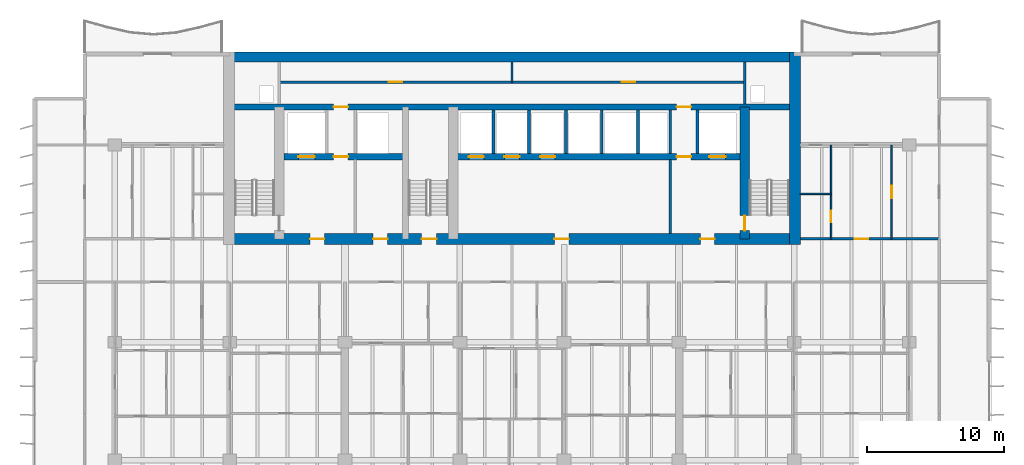
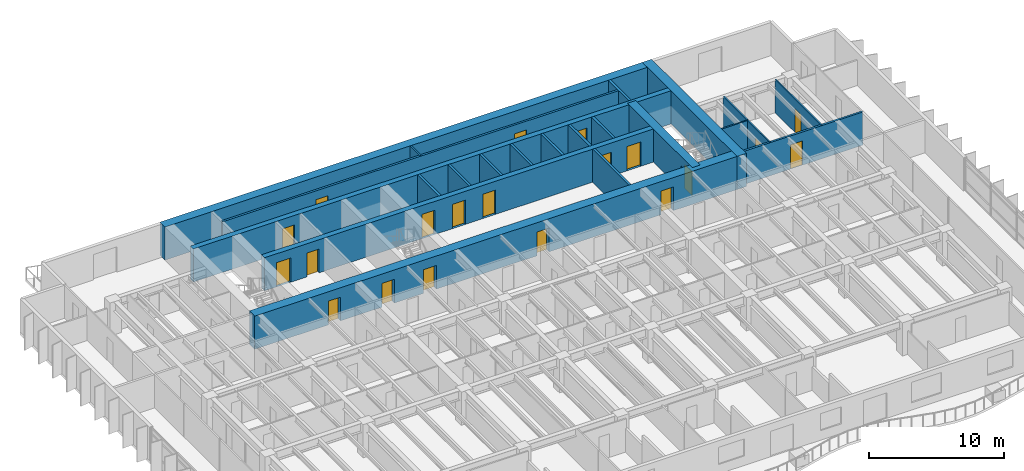
# One storey, part 12 of 19: 21 walls, 20 doors, 20 openings.
"""IFC4 building model written with IfcOpenShell, lengths in metres."""

from ifc_helpers import new_model, si_unit, direction, frame, frame_2d, origin, place, context, subcontext, project, spatial, rectangle, extrude, material, layer, layer_set, type_object, element, fill, save


model = new_model("IFC4")

# Units and contexts
model_context = context("Model", 3, precision=1e-05, world=origin(), true_north=direction((0.0, 1.0)))
body_context = subcontext(model_context, "Body", "Model", "MODEL_VIEW")
ifc_project = project(units=[si_unit("LENGTHUNIT", "METRE"), si_unit("AREAUNIT", "SQUARE_METRE"), si_unit("VOLUMEUNIT", "CUBIC_METRE"), si_unit("PLANEANGLEUNIT", "RADIAN"), si_unit("MASSUNIT", "GRAM", prefix="KILO")], contexts=[model_context])

# Site, building, storey
site_placement = place(None, origin())
site = spatial("IfcSite", under=ifc_project, at=site_placement, CompositionType="ELEMENT")
building_placement = place(site_placement, origin())
building = spatial("IfcBuilding", under=site, at=building_placement, Name="Caelmar Bay Residences", CompositionType="ELEMENT")
storey_placement = place(building_placement, frame((0.0, 0.0, 94.5)))
storey = spatial("IfcBuildingStorey", under=building, at=storey_placement, Name="L25", CompositionType="ELEMENT", Elevation=94.5)

# Wall, opening, door
ifc_material_1 = material(Name="Concrete f'c 55 MPa (8,000 psi)", Category="concrete")
ifc_layer_1 = layer(ifc_material_1, 0.699951171875)
ifc_layer_set_1 = layer_set([ifc_layer_1], Name="Concrete f'c 55 MPa (8,000 psi)")
wall_type_1 = type_object("IfcWallType", Name="SW-COR-700", PredefinedType="SHEAR", material=ifc_layer_set_1)
wall_1_placement = place(storey_placement, frame((55.89990234375, 36.949951171875, 0.0), z_axis=(0.0, 0.0, 1.0), x_axis=(0.0, 1.0, 0.0)))
wall_1 = element("IfcWall", 1, at=wall_1_placement, inside=storey, type_object=wall_type_1, Name="L25 Core Structural Web Wall ST2W", PredefinedType="SHEAR", context=body_context, shape_type="SweptSolid", body=[
    extrude(rectangle(XDim=9.625, YDim=0.699951171875, at=frame_2d((4.8125, 0.0))), origin(), (0.0, 0.0, 1.0), 3.0),
])
opening_1_placement = place(wall_1_placement, frame((0.60009765625, 0.0, 0.0)))
opening_1 = element("IfcOpeningElement", 2, at=opening_1_placement, cuts=wall_1, Name="Opening D-L25-111", PredefinedType="OPENING", context=body_context, shape_type="SweptSolid", body=[
    extrude(rectangle(XDim=1.10009765625, YDim=2.14990234375, at=frame_2d((0.550048828125, 1.074951171875))), frame((0.0, 0.35986328125, 0.0), z_axis=(0.0, -1.0, 0.0), x_axis=(1.0, 0.0, 0.0)), (0.0, 0.0, 1.0), 0.719970703125),
])
ifc_material_2 = material(Name="Fire-rated steel and walnut architectural door assembly", Category="steel")
ifc_layer_2 = layer(ifc_material_2, 0.050048828125)
ifc_layer_set_2 = layer_set([ifc_layer_2], Name="Fire-rated steel and walnut architectural door assembly")
door_type_1 = type_object("IfcDoorType", Name="D-STAIR-1100", OperationType="NOTDEFINED", PredefinedType="DOOR", material=ifc_layer_set_2)
door_1_placement = place(opening_1_placement, origin())
door_1 = element("IfcDoor", 3, at=door_1_placement, inside=storey, type_object=door_type_1, Name="L25 Firefighting Lobby East Door", OperationType="SINGLE_SWING_RIGHT", OverallHeight=2.14990234375, OverallWidth=1.10009765625, PredefinedType="DOOR", context=body_context, shape_type="SweptSolid", body=[
    extrude(rectangle(XDim=1.10009765625, YDim=2.14990234375, at=frame_2d((0.550048828125, 1.074951171875))), frame((0.0, 0.02490234375, 0.0), z_axis=(0.0, -1.0, 0.0), x_axis=(1.0, 0.0, 0.0)), (0.0, 0.0, 1.0), 0.050048828125),
])
fill(opening_1, door_1)

# Wall, openings, doors
ifc_material_3 = material(Name="Concrete f'c 70 MPa (10,000 psi)", Category="concrete")
ifc_layer_3 = layer(ifc_material_3, 0.800048828125)
ifc_layer_set_3 = layer_set([ifc_layer_3], Name="Concrete f'c 70 MPa (10,000 psi)")
wall_type_2 = type_object("IfcWallType", Name="SW-COR-800", PredefinedType="SHEAR", material=ifc_layer_set_3)
wall_2_placement = place(storey_placement, frame((17.85009765625, 36.949951171875, 0.0), z_axis=(0.0, 0.0, 1.0), x_axis=(1.0, 0.0, 0.0)))
wall_2 = element("IfcWall", 4, at=wall_2_placement, inside=storey, type_object=wall_type_2, Name="L25 Rear Core South Shear Wall", PredefinedType="SHEAR", context=body_context, shape_type="SweptSolid", body=[
    extrude(rectangle(XDim=42.099853515625, YDim=0.800048828125, at=frame_2d((21.0498046875, 0.0))), origin(), (0.0, 0.0, 1.0), 3.0),
])
opening_2_placement = place(wall_2_placement, frame((14.449951171875, 0.0, 0.0)))
opening_2 = element("IfcOpeningElement", 5, at=opening_2_placement, cuts=wall_2, Name="Opening D-L25-106", PredefinedType="OPENING", context=body_context, shape_type="SweptSolid", body=[
    extrude(rectangle(XDim=1.10009765625, YDim=2.14990234375, at=frame_2d((0.550048828125, 1.074951171875))), frame((0.0, 0.409912109375, 0.0), z_axis=(0.0, -1.0, 0.0), x_axis=(1.0, 0.0, 0.0)), (0.0, 0.0, 1.0), 0.820068359375),
])
opening_3_placement = place(wall_2_placement, frame((6.300048828125, 0.0, 0.0)))
opening_3 = element("IfcOpeningElement", 6, at=opening_3_placement, cuts=wall_2, Name="Opening D-L25-107", PredefinedType="OPENING", context=body_context, shape_type="SweptSolid", body=[
    extrude(rectangle(XDim=1.050048828125, YDim=2.14990234375, at=frame_2d((0.52490234375, 1.074951171875))), frame((0.0, 0.409912109375, 0.0), z_axis=(0.0, -1.0, 0.0), x_axis=(1.0, 0.0, 0.0)), (0.0, 0.0, 1.0), 0.820068359375),
])
opening_4_placement = place(wall_2_placement, frame((34.800048828125, 0.0, 0.0)))
opening_4 = element("IfcOpeningElement", 7, at=opening_4_placement, cuts=wall_2, Name="Opening D-L25-110", PredefinedType="OPENING", context=body_context, shape_type="SweptSolid", body=[
    extrude(rectangle(XDim=1.050048828125, YDim=2.14990234375, at=frame_2d((0.52490234375, 1.074951171875))), frame((0.0, 0.409912109375, 0.0), z_axis=(0.0, -1.0, 0.0), x_axis=(1.0, 0.0, 0.0)), (0.0, 0.0, 1.0), 0.820068359375),
])
opening_5_placement = place(wall_2_placement, frame((10.91259765625, 0.0, 0.0)))
opening_5 = element("IfcOpeningElement", 8, at=opening_5_placement, cuts=wall_2, Name="Opening D-L25-113", PredefinedType="OPENING", context=body_context, shape_type="SweptSolid", body=[
    extrude(rectangle(XDim=1.050048828125, YDim=2.14990234375, at=frame_2d((0.52490234375, 1.074951171875))), frame((0.0, 0.409912109375, 0.0), z_axis=(0.0, -1.0, 0.0), x_axis=(1.0, 0.0, 0.0)), (0.0, 0.0, 1.0), 0.820068359375),
])
opening_6_placement = place(wall_2_placement, frame((24.14990234375, 0.0, 0.0)))
opening_6 = element("IfcOpeningElement", 9, at=opening_6_placement, cuts=wall_2, Name="Opening D-L25-114", PredefinedType="OPENING", context=body_context, shape_type="SweptSolid", body=[
    extrude(rectangle(XDim=1.050048828125, YDim=2.14990234375, at=frame_2d((0.52490234375, 1.074951171875))), frame((0.0, 0.409912109375, 0.0), z_axis=(0.0, -1.0, 0.0), x_axis=(1.0, 0.0, 0.0)), (0.0, 0.0, 1.0), 0.820068359375),
])
ifc_layer_4 = layer(ifc_material_2, 0.050048828125)
ifc_layer_set_4 = layer_set([ifc_layer_4], Name="Fire-rated steel and walnut architectural door assembly")
door_type_2 = type_object("IfcDoorType", Name="D-FSAE-1050", OperationType="NOTDEFINED", PredefinedType="DOOR", material=ifc_layer_set_4)
door_2_placement = place(opening_3_placement, origin())
door_2 = element("IfcDoor", 10, at=door_2_placement, inside=storey, type_object=door_type_2, Name="L25 Firefighting Lobby West Door", OperationType="SINGLE_SWING_RIGHT", OverallHeight=2.14990234375, OverallWidth=1.050048828125, PredefinedType="DOOR", context=body_context, shape_type="SweptSolid", body=[
    extrude(rectangle(XDim=1.050048828125, YDim=2.14990234375, at=frame_2d((0.52490234375, 1.074951171875))), frame((0.0, 0.02490234375, 0.0), z_axis=(0.0, -1.0, 0.0), x_axis=(1.0, 0.0, 0.0)), (0.0, 0.0, 1.0), 0.050048828125),
])
fill(opening_3, door_2)
door_3_placement = place(opening_4_placement, origin())
door_3 = element("IfcDoor", 11, at=door_3_placement, inside=storey, type_object=door_type_2, Name="L25 Firefighting Lobby East Door", OperationType="SINGLE_SWING_LEFT", OverallHeight=2.14990234375, OverallWidth=1.050048828125, PredefinedType="DOOR", context=body_context, shape_type="SweptSolid", body=[
    extrude(rectangle(XDim=1.050048828125, YDim=2.14990234375, at=frame_2d((0.52490234375, 1.074951171875))), frame((0.0, 0.02490234375, 0.0), z_axis=(0.0, -1.0, 0.0), x_axis=(1.0, 0.0, 0.0)), (0.0, 0.0, 1.0), 0.050048828125),
])
fill(opening_4, door_3)
door_4_placement = place(opening_5_placement, origin())
door_4 = element("IfcDoor", 12, at=door_4_placement, inside=storey, type_object=door_type_2, Name="L25 West Lift Lobby Door", OperationType="SINGLE_SWING_RIGHT", OverallHeight=2.14990234375, OverallWidth=1.050048828125, PredefinedType="DOOR", context=body_context, shape_type="SweptSolid", body=[
    extrude(rectangle(XDim=1.050048828125, YDim=2.14990234375, at=frame_2d((0.52490234375, 1.074951171875))), frame((0.0, 0.02490234375, 0.0), z_axis=(0.0, -1.0, 0.0), x_axis=(1.0, 0.0, 0.0)), (0.0, 0.0, 1.0), 0.050048828125),
])
fill(opening_5, door_4)
door_5_placement = place(opening_6_placement, origin())
door_5 = element("IfcDoor", 13, at=door_5_placement, inside=storey, type_object=door_type_2, Name="L25 Passenger Lift Lobby Door", OperationType="SINGLE_SWING_LEFT", OverallHeight=2.14990234375, OverallWidth=1.050048828125, PredefinedType="DOOR", context=body_context, shape_type="SweptSolid", body=[
    extrude(rectangle(XDim=1.050048828125, YDim=2.14990234375, at=frame_2d((0.52490234375, 1.074951171875))), frame((0.0, 0.02490234375, 0.0), z_axis=(0.0, -1.0, 0.0), x_axis=(1.0, 0.0, 0.0)), (0.0, 0.0, 1.0), 0.050048828125),
])
fill(opening_6, door_5)
door_6_placement = place(opening_2_placement, origin())
door_6 = element("IfcDoor", 14, at=door_6_placement, inside=storey, type_object=door_type_1, Name="L25 Exit Stair ST3 Door", OperationType="SINGLE_SWING_LEFT", OverallHeight=2.14990234375, OverallWidth=1.10009765625, PredefinedType="DOOR", context=body_context, shape_type="SweptSolid", body=[
    extrude(rectangle(XDim=1.10009765625, YDim=2.14990234375, at=frame_2d((0.550048828125, 1.074951171875))), frame((0.0, 0.02490234375, 0.0), z_axis=(0.0, -1.0, 0.0), x_axis=(1.0, 0.0, 0.0)), (0.0, 0.0, 1.0), 0.050048828125),
])
fill(opening_2, door_6)

# Walls
wall_3_placement = place(storey_placement, frame((59.550048828125, 36.550048828125, 0.0), z_axis=(0.0, 0.0, 1.0), x_axis=(0.0, 1.0, 0.0)))
element("IfcWall", 15, at=wall_3_placement, inside=storey, type_object=wall_type_2, Name="L25 Rear Core East Shear Wall", PredefinedType="SHEAR", context=body_context, shape_type="SweptSolid", body=[
    extrude(rectangle(XDim=14.050048828125, YDim=0.800048828125, at=frame_2d((7.02490234375, 0.0))), origin(), (0.0, 0.0, 1.0), 3.0),
])
ifc_layer_5 = layer(ifc_material_3, 0.75)
ifc_layer_set_5 = layer_set([ifc_layer_5], Name="Concrete f'c 70 MPa (10,000 psi)")
wall_type_3 = type_object("IfcWallType", Name="SW-CORN-750", PredefinedType="SHEAR", material=ifc_layer_set_5)
wall_4_placement = place(storey_placement, frame((17.85009765625, 50.22509765625, 0.0), z_axis=(0.0, 0.0, 1.0), x_axis=(1.0, 0.0, 0.0)))
element("IfcWall", 16, at=wall_4_placement, inside=storey, type_object=wall_type_3, Name="L25 Rear Core North Shear Wall", PredefinedType="SHEAR", context=body_context, shape_type="SweptSolid", body=[
    extrude(rectangle(XDim=42.099853515625, YDim=0.75, at=frame_2d((21.0498046875, 0.0))), origin(), (0.0, 0.0, 1.0), 3.0),
])

# Wall, openings, doors
ifc_layer_6 = layer(ifc_material_3, 0.449951171875)
ifc_layer_set_6 = layer_set([ifc_layer_6], Name="Concrete f'c 70 MPa (10,000 psi)")
wall_type_4 = type_object("IfcWallType", Name="SW-WEB-450", PredefinedType="SHEAR", material=ifc_layer_set_6)
wall_5_placement = place(storey_placement, frame((22.25, 42.949951171875, 0.0), z_axis=(0.0, 0.0, 1.0), x_axis=(1.0, 0.0, 0.0)))
wall_5 = element("IfcWall", 17, at=wall_5_placement, inside=storey, type_object=wall_type_4, Name="L25 Core Structural Web Wall LFR", PredefinedType="SHEAR", context=body_context, shape_type="SweptSolid", body=[
    extrude(rectangle(XDim=33.300048828125, YDim=0.449951171875, at=frame_2d((16.64990234375, 0.0))), origin(), (0.0, 0.0, 1.0), 3.0),
])
opening_7_placement = place(wall_5_placement, frame((1.050048828125, 0.0, 0.0)))
opening_7 = element("IfcOpeningElement", 18, at=opening_7_placement, cuts=wall_5, Name="Opening LD2", PredefinedType="OPENING", context=body_context, shape_type="SweptSolid", body=[
    extrude(rectangle(XDim=1.199951171875, YDim=2.199951171875, at=frame_2d((0.60009765625, 1.10009765625))), frame((0.0, 0.23486328125, 0.0), z_axis=(0.0, -1.0, 0.0), x_axis=(1.0, 0.0, 0.0)), (0.0, 0.0, 1.0), 0.469970703125),
])
opening_8_placement = place(wall_5_placement, frame((31.050048828125, 0.0, 0.0)))
opening_8 = element("IfcOpeningElement", 19, at=opening_8_placement, cuts=wall_5, Name="Opening LD2", PredefinedType="OPENING", context=body_context, shape_type="SweptSolid", body=[
    extrude(rectangle(XDim=1.199951171875, YDim=2.199951171875, at=frame_2d((0.60009765625, 1.10009765625))), frame((0.0, 0.23486328125, 0.0), z_axis=(0.0, -1.0, 0.0), x_axis=(1.0, 0.0, 0.0)), (0.0, 0.0, 1.0), 0.469970703125),
])
opening_9_placement = place(wall_5_placement, frame((13.5, 0.0, 0.0)))
opening_9 = element("IfcOpeningElement", 20, at=opening_9_placement, cuts=wall_5, Name="Opening LD1", PredefinedType="OPENING", context=body_context, shape_type="SweptSolid", body=[
    extrude(rectangle(XDim=1.10009765625, YDim=2.199951171875, at=frame_2d((0.550048828125, 1.10009765625))), frame((0.0, 0.23486328125, 0.0), z_axis=(0.0, -1.0, 0.0), x_axis=(1.0, 0.0, 0.0)), (0.0, 0.0, 1.0), 0.469970703125),
])
opening_10_placement = place(wall_5_placement, frame((16.10009765625, 0.0, 0.0)))
opening_10 = element("IfcOpeningElement", 21, at=opening_10_placement, cuts=wall_5, Name="Opening LD1", PredefinedType="OPENING", context=body_context, shape_type="SweptSolid", body=[
    extrude(rectangle(XDim=1.10009765625, YDim=2.199951171875, at=frame_2d((0.550048828125, 1.10009765625))), frame((0.0, 0.23486328125, 0.0), z_axis=(0.0, -1.0, 0.0), x_axis=(1.0, 0.0, 0.0)), (0.0, 0.0, 1.0), 0.469970703125),
])
opening_11_placement = place(wall_5_placement, frame((18.699951171875, 0.0, 0.0)))
opening_11 = element("IfcOpeningElement", 22, at=opening_11_placement, cuts=wall_5, Name="Opening LD1", PredefinedType="OPENING", context=body_context, shape_type="SweptSolid", body=[
    extrude(rectangle(XDim=1.10009765625, YDim=2.199951171875, at=frame_2d((0.550048828125, 1.10009765625))), frame((0.0, 0.23486328125, 0.0), z_axis=(0.0, -1.0, 0.0), x_axis=(1.0, 0.0, 0.0)), (0.0, 0.0, 1.0), 0.469970703125),
])
opening_12_placement = place(wall_5_placement, frame((3.625, 0.0, 0.0)))
opening_12 = element("IfcOpeningElement", 23, at=opening_12_placement, cuts=wall_5, Name="Opening D-L25-109", PredefinedType="OPENING", context=body_context, shape_type="SweptSolid", body=[
    extrude(rectangle(XDim=1.050048828125, YDim=2.14990234375, at=frame_2d((0.52490234375, 1.074951171875))), frame((0.0, 0.23486328125, 0.0), z_axis=(0.0, -1.0, 0.0), x_axis=(1.0, 0.0, 0.0)), (0.0, 0.0, 1.0), 0.469970703125),
])
opening_13_placement = place(wall_5_placement, frame((28.675048828125, 0.0, 0.0)))
opening_13 = element("IfcOpeningElement", 24, at=opening_13_placement, cuts=wall_5, Name="Opening D-L25-112", PredefinedType="OPENING", context=body_context, shape_type="SweptSolid", body=[
    extrude(rectangle(XDim=1.050048828125, YDim=2.14990234375, at=frame_2d((0.52490234375, 1.074951171875))), frame((0.0, 0.23486328125, 0.0), z_axis=(0.0, -1.0, 0.0), x_axis=(1.0, 0.0, 0.0)), (0.0, 0.0, 1.0), 0.469970703125),
])
door_7_placement = place(opening_12_placement, origin())
door_7 = element("IfcDoor", 25, at=door_7_placement, inside=storey, type_object=door_type_2, Name="L25 Firefighting Lobby West Door", OperationType="SINGLE_SWING_RIGHT", OverallHeight=2.14990234375, OverallWidth=1.050048828125, PredefinedType="DOOR", context=body_context, shape_type="SweptSolid", body=[
    extrude(rectangle(XDim=1.050048828125, YDim=2.14990234375, at=frame_2d((0.52490234375, 1.074951171875))), frame((0.0, 0.02490234375, 0.0), z_axis=(0.0, -1.0, 0.0), x_axis=(1.0, 0.0, 0.0)), (0.0, 0.0, 1.0), 0.050048828125),
])
fill(opening_12, door_7)
door_8_placement = place(opening_13_placement, origin())
door_8 = element("IfcDoor", 26, at=door_8_placement, inside=storey, type_object=door_type_2, Name="L25 Firefighting Lobby East Door", OperationType="SINGLE_SWING_LEFT", OverallHeight=2.14990234375, OverallWidth=1.050048828125, PredefinedType="DOOR", context=body_context, shape_type="SweptSolid", body=[
    extrude(rectangle(XDim=1.050048828125, YDim=2.14990234375, at=frame_2d((0.52490234375, 1.074951171875))), frame((0.0, 0.02490234375, 0.0), z_axis=(0.0, -1.0, 0.0), x_axis=(1.0, 0.0, 0.0)), (0.0, 0.0, 1.0), 0.050048828125),
])
fill(opening_13, door_8)
ifc_material_4 = material(Name="Brushed bronze stainless-steel fire-rated lift landing doors", Category="steel")
ifc_layer_7 = layer(ifc_material_4, 0.050048828125)
ifc_layer_set_7 = layer_set([ifc_layer_7], Name="Brushed bronze stainless-steel fire-rated lift landing doors")
door_type_3 = type_object("IfcDoorType", Name="D-LND-1100", OperationType="DOUBLE_DOOR_SLIDING", PredefinedType="DOOR", material=ifc_layer_set_7)
door_9_placement = place(opening_9_placement, origin())
door_9 = element("IfcDoor", 27, at=door_9_placement, inside=storey, type_object=door_type_3, Name="L25 LP1 Sliding Landing Door", OperationType="DOUBLE_DOOR_SLIDING", OverallHeight=2.199951171875, OverallWidth=1.10009765625, PredefinedType="DOOR", context=body_context, shape_type="SweptSolid", body=[
    extrude(rectangle(XDim=1.10009765625, YDim=2.199951171875, at=frame_2d((0.550048828125, 1.10009765625))), frame((0.0, 0.02490234375, 0.0), z_axis=(0.0, -1.0, 0.0), x_axis=(1.0, 0.0, 0.0)), (0.0, 0.0, 1.0), 0.050048828125),
])
fill(opening_9, door_9)
door_10_placement = place(opening_10_placement, origin())
door_10 = element("IfcDoor", 28, at=door_10_placement, inside=storey, type_object=door_type_3, Name="L25 LP2 Sliding Landing Door", OperationType="DOUBLE_DOOR_SLIDING", OverallHeight=2.199951171875, OverallWidth=1.10009765625, PredefinedType="DOOR", context=body_context, shape_type="SweptSolid", body=[
    extrude(rectangle(XDim=1.10009765625, YDim=2.199951171875, at=frame_2d((0.550048828125, 1.10009765625))), frame((0.0, 0.02490234375, 0.0), z_axis=(0.0, -1.0, 0.0), x_axis=(1.0, 0.0, 0.0)), (0.0, 0.0, 1.0), 0.050048828125),
])
fill(opening_10, door_10)
door_11_placement = place(opening_11_placement, origin())
door_11 = element("IfcDoor", 29, at=door_11_placement, inside=storey, type_object=door_type_3, Name="L25 LP3 Sliding Landing Door", OperationType="DOUBLE_DOOR_SLIDING", OverallHeight=2.199951171875, OverallWidth=1.10009765625, PredefinedType="DOOR", context=body_context, shape_type="SweptSolid", body=[
    extrude(rectangle(XDim=1.10009765625, YDim=2.199951171875, at=frame_2d((0.550048828125, 1.10009765625))), frame((0.0, 0.02490234375, 0.0), z_axis=(0.0, -1.0, 0.0), x_axis=(1.0, 0.0, 0.0)), (0.0, 0.0, 1.0), 0.050048828125),
])
fill(opening_11, door_11)
ifc_material_5 = material(Name="Brushed stainless-steel FSAE sliding landing door", Category="steel")
ifc_layer_8 = layer(ifc_material_5, 0.050048828125)
ifc_layer_set_8 = layer_set([ifc_layer_8], Name="Brushed stainless-steel FSAE sliding landing door")
door_type_4 = type_object("IfcDoorType", Name="D-LND-1200", OperationType="DOUBLE_DOOR_SLIDING", PredefinedType="DOOR", material=ifc_layer_set_8)
door_12_placement = place(opening_7_placement, origin())
door_12 = element("IfcDoor", 30, at=door_12_placement, inside=storey, type_object=door_type_4, Name="L25 LF1 Sliding Landing Door", OperationType="DOUBLE_DOOR_SLIDING", OverallHeight=2.199951171875, OverallWidth=1.199951171875, PredefinedType="DOOR", context=body_context, shape_type="SweptSolid", body=[
    extrude(rectangle(XDim=1.199951171875, YDim=2.199951171875, at=frame_2d((0.60009765625, 1.10009765625))), frame((0.0, 0.02490234375, 0.0), z_axis=(0.0, -1.0, 0.0), x_axis=(1.0, 0.0, 0.0)), (0.0, 0.0, 1.0), 0.050048828125),
])
fill(opening_7, door_12)
door_13_placement = place(opening_8_placement, origin())
door_13 = element("IfcDoor", 31, at=door_13_placement, inside=storey, type_object=door_type_4, Name="L25 LF2 Sliding Landing Door", OperationType="DOUBLE_DOOR_SLIDING", OverallHeight=2.199951171875, OverallWidth=1.199951171875, PredefinedType="DOOR", context=body_context, shape_type="SweptSolid", body=[
    extrude(rectangle(XDim=1.199951171875, YDim=2.199951171875, at=frame_2d((0.60009765625, 1.10009765625))), frame((0.0, 0.02490234375, 0.0), z_axis=(0.0, -1.0, 0.0), x_axis=(1.0, 0.0, 0.0)), (0.0, 0.0, 1.0), 0.050048828125),
])
fill(opening_8, door_13)

wall_6_placement = place(storey_placement, frame((18.25, 46.574951171875, 0.0), z_axis=(0.0, 0.0, 1.0), x_axis=(1.0, 0.0, 0.0)))
wall_6 = element("IfcWall", 32, at=wall_6_placement, inside=storey, type_object=wall_type_4, Name="L25 Core Structural Web Wall SRVS", PredefinedType="SHEAR", context=body_context, shape_type="SweptSolid", body=[
    extrude(rectangle(XDim=41.300048828125, YDim=0.449951171875, at=frame_2d((20.64990234375, 0.0))), origin(), (0.0, 0.0, 1.0), 3.0),
])
opening_14_placement = place(wall_6_placement, frame((7.625, 0.0, 0.0)))
opening_14 = element("IfcOpeningElement", 33, at=opening_14_placement, cuts=wall_6, Name="Opening D-L25-115", PredefinedType="OPENING", context=body_context, shape_type="SweptSolid", body=[
    extrude(rectangle(XDim=1.050048828125, YDim=2.14990234375, at=frame_2d((0.52490234375, 1.074951171875))), frame((0.0, 0.23486328125, 0.0), z_axis=(0.0, -1.0, 0.0), x_axis=(1.0, 0.0, 0.0)), (0.0, 0.0, 1.0), 0.469970703125),
])
opening_15_placement = place(wall_6_placement, frame((32.675048828125, 0.0, 0.0)))
opening_15 = element("IfcOpeningElement", 34, at=opening_15_placement, cuts=wall_6, Name="Opening D-L25-116", PredefinedType="OPENING", context=body_context, shape_type="SweptSolid", body=[
    extrude(rectangle(XDim=1.050048828125, YDim=2.14990234375, at=frame_2d((0.52490234375, 1.074951171875))), frame((0.0, 0.23486328125, 0.0), z_axis=(0.0, -1.0, 0.0), x_axis=(1.0, 0.0, 0.0)), (0.0, 0.0, 1.0), 0.469970703125),
])
door_14_placement = place(opening_14_placement, origin())
door_14 = element("IfcDoor", 35, at=door_14_placement, inside=storey, type_object=door_type_2, Name="L25 Core Service Corridor Door", OperationType="SINGLE_SWING_RIGHT", OverallHeight=2.14990234375, OverallWidth=1.050048828125, PredefinedType="DOOR", context=body_context, shape_type="SweptSolid", body=[
    extrude(rectangle(XDim=1.050048828125, YDim=2.14990234375, at=frame_2d((0.52490234375, 1.074951171875))), frame((0.0, 0.02490234375, 0.0), z_axis=(0.0, -1.0, 0.0), x_axis=(1.0, 0.0, 0.0)), (0.0, 0.0, 1.0), 0.050048828125),
])
fill(opening_14, door_14)
door_15_placement = place(opening_15_placement, origin())
door_15 = element("IfcDoor", 36, at=door_15_placement, inside=storey, type_object=door_type_2, Name="L25 Core Service Corridor Door", OperationType="SINGLE_SWING_LEFT", OverallHeight=2.14990234375, OverallWidth=1.050048828125, PredefinedType="DOOR", context=body_context, shape_type="SweptSolid", body=[
    extrude(rectangle(XDim=1.050048828125, YDim=2.14990234375, at=frame_2d((0.52490234375, 1.074951171875))), frame((0.0, 0.02490234375, 0.0), z_axis=(0.0, -1.0, 0.0), x_axis=(1.0, 0.0, 0.0)), (0.0, 0.0, 1.0), 0.050048828125),
])
fill(opening_15, door_15)

# Wall, opening, door
ifc_material_6 = material(Name="Double-stud acoustic fire-rated gypsum partition 180 mm")
ifc_layer_9 = layer(ifc_material_6, 0.179931640625)
ifc_layer_set_9 = layer_set([ifc_layer_9], Name="Double-stud acoustic fire-rated gypsum partition 180 mm")
wall_type_5 = type_object("IfcWallType", Name="W-COR-200", PredefinedType="PARTITIONING", material=ifc_layer_set_9)
wall_7_placement = place(storey_placement, frame((59.955078125, 36.949951171875, 0.0), z_axis=(0.0, 0.0, 1.0), x_axis=(1.0, 0.0, 0.0)))
wall_7 = element("IfcWall", 37, at=wall_7_placement, inside=storey, type_object=wall_type_5, Name="L25 Partition Wall H124", PredefinedType="PARTITIONING", context=body_context, shape_type="SweptSolid", body=[
    extrude(rectangle(XDim=10.14501953125, YDim=0.179931640625, at=frame_2d((5.072509765625, 0.0))), origin(), (0.0, 0.0, 1.0), 3.0),
])
opening_16_placement = place(wall_7_placement, frame((3.95703125, 0.0, 0.0)))
opening_16 = element("IfcOpeningElement", 38, at=opening_16_placement, cuts=wall_7, Name="Opening D-L25-172", PredefinedType="OPENING", context=body_context, shape_type="SweptSolid", body=[
    extrude(rectangle(XDim=1.0, YDim=2.199951171875, at=frame_2d((0.5, 1.10009765625))), frame((0.0, 0.099853515625, 0.0), z_axis=(0.0, -1.0, 0.0), x_axis=(1.0, 0.0, 0.0)), (0.0, 0.0, 1.0), 0.199951171875),
])
ifc_layer_10 = layer(ifc_material_2, 0.050048828125)
ifc_layer_set_10 = layer_set([ifc_layer_10], Name="Fire-rated steel and walnut architectural door assembly")
door_type_5 = type_object("IfcDoorType", Name="D-UNIT-1000", OperationType="NOTDEFINED", PredefinedType="DOOR", material=ifc_layer_set_10)
door_16_placement = place(opening_16_placement, origin())
door_16 = element("IfcDoor", 39, at=door_16_placement, inside=storey, type_object=door_type_5, Name="L25 Residence EA Kitchen Door", OperationType="SINGLE_SWING_LEFT", OverallHeight=2.199951171875, OverallWidth=1.0, PredefinedType="DOOR", context=body_context, shape_type="SweptSolid", body=[
    extrude(rectangle(XDim=1.0, YDim=2.199951171875, at=frame_2d((0.5, 1.10009765625))), frame((0.0, 0.02490234375, 0.0), z_axis=(0.0, -1.0, 0.0), x_axis=(1.0, 0.0, 0.0)), (0.0, 0.0, 1.0), 0.050048828125),
])
fill(opening_16, door_16)

# Wall, openings, doors
wall_8_placement = place(storey_placement, frame((21.89990234375, 48.39990234375, 0.0), z_axis=(0.0, 0.0, 1.0), x_axis=(1.0, 0.0, 0.0)))
wall_8 = element("IfcWall", 40, at=wall_8_placement, inside=storey, type_object=wall_type_5, Name="L25 Partition Wall H129", PredefinedType="PARTITIONING", context=body_context, shape_type="SweptSolid", body=[
    extrude(rectangle(XDim=34.0, YDim=0.179931640625, at=frame_2d((17.0, 0.0))), origin(), (0.0, 0.0, 1.0), 3.0),
])
opening_17_placement = place(wall_8_placement, frame((8.0, 0.0, 0.0)))
opening_17 = element("IfcOpeningElement", 41, at=opening_17_placement, cuts=wall_8, Name="Opening D-L25-117", PredefinedType="OPENING", context=body_context, shape_type="SweptSolid", body=[
    extrude(rectangle(XDim=1.0, YDim=2.199951171875, at=frame_2d((0.5, 1.10009765625))), frame((0.0, 0.099853515625, 0.0), z_axis=(0.0, -1.0, 0.0), x_axis=(1.0, 0.0, 0.0)), (0.0, 0.0, 1.0), 0.199951171875),
])
opening_18_placement = place(wall_8_placement, frame((25.0, 0.0, 0.0)))
opening_18 = element("IfcOpeningElement", 42, at=opening_18_placement, cuts=wall_8, Name="Opening D-L25-118", PredefinedType="OPENING", context=body_context, shape_type="SweptSolid", body=[
    extrude(rectangle(XDim=1.0, YDim=2.199951171875, at=frame_2d((0.5, 1.10009765625))), frame((0.0, 0.099853515625, 0.0), z_axis=(0.0, -1.0, 0.0), x_axis=(1.0, 0.0, 0.0)), (0.0, 0.0, 1.0), 0.199951171875),
])
door_17_placement = place(opening_17_placement, origin())
door_17 = element("IfcDoor", 43, at=door_17_placement, inside=storey, type_object=door_type_5, Name="L25 Building Management Office Door", OperationType="SINGLE_SWING_RIGHT", OverallHeight=2.199951171875, OverallWidth=1.0, PredefinedType="DOOR", context=body_context, shape_type="SweptSolid", body=[
    extrude(rectangle(XDim=1.0, YDim=2.199951171875, at=frame_2d((0.5, 1.10009765625))), frame((0.0, 0.02490234375, 0.0), z_axis=(0.0, -1.0, 0.0), x_axis=(1.0, 0.0, 0.0)), (0.0, 0.0, 1.0), 0.050048828125),
])
fill(opening_17, door_17)
door_18_placement = place(opening_18_placement, origin())
door_18 = element("IfcDoor", 44, at=door_18_placement, inside=storey, type_object=door_type_5, Name="L25 Concierge Operations Office Door", OperationType="SINGLE_SWING_LEFT", OverallHeight=2.199951171875, OverallWidth=1.0, PredefinedType="DOOR", context=body_context, shape_type="SweptSolid", body=[
    extrude(rectangle(XDim=1.0, YDim=2.199951171875, at=frame_2d((0.5, 1.10009765625))), frame((0.0, 0.02490234375, 0.0), z_axis=(0.0, -1.0, 0.0), x_axis=(1.0, 0.0, 0.0)), (0.0, 0.0, 1.0), 0.050048828125),
])
fill(opening_18, door_18)

# Walls
ifc_material_7 = material(Name="Fire-rated masonry and gypsum shaftliner assembly 200 mm", Category="masonry")
ifc_layer_11 = layer(ifc_material_7, 0.199951171875)
ifc_layer_set_11 = layer_set([ifc_layer_11], Name="Fire-rated masonry and gypsum shaftliner assembly 200 mm")
wall_type_6 = type_object("IfcWallType", Name="W-FSAE-200", PredefinedType="PARTITIONING", material=ifc_layer_set_11)
for number, where, z_axis, x_axis, name in (
    (45, (37.550048828125, 43.169921875, 0.0), (0.0, 0.0, 1.0), (0.0, 1.0, 0.0), "L25 Partition Wall V043"),
    (46, (40.14990234375, 43.169921875, 0.0), (0.0, 0.0, 1.0), (0.0, 1.0, 0.0), "L25 Partition Wall V050"),
    (47, (42.85009765625, 43.169921875, 0.0), (0.0, 0.0, 1.0), (0.0, 1.0, 0.0), "L25 Partition Wall V058"),
    (48, (45.449951171875, 43.169921875, 0.0), (0.0, 0.0, 1.0), (0.0, 1.0, 0.0), "L25 Partition Wall V059"),
    (49, (48.10009765625, 43.169921875, 0.0), (0.0, 0.0, 1.0), (0.0, 1.0, 0.0), "L25 Partition Wall V064"),
):
    element("IfcWall", number, at=place(storey_placement, frame(where, z_axis=z_axis, x_axis=x_axis)), inside=storey, type_object=wall_type_6, Name=name, PredefinedType="PARTITIONING", context=body_context, shape_type="SweptSolid", body=[
        extrude(rectangle(XDim=3.18505859375, YDim=0.199951171875, at=frame_2d((1.592529296875, 0.0))), origin(), (0.0, 0.0, 1.0), 3.0),
    ])
wall_9_placement = place(storey_placement, frame((50.449951171875, 37.344970703125, 0.0), z_axis=(0.0, 0.0, 1.0), x_axis=(0.0, 1.0, 0.0)))
element("IfcWall", 50, at=wall_9_placement, inside=storey, type_object=wall_type_6, Name="L25 Partition Wall V067", PredefinedType="PARTITIONING", context=body_context, shape_type="SweptSolid", body=[
    extrude(rectangle(XDim=5.385009765625, YDim=0.199951171875, at=frame_2d((2.6923828125, 0.0))), origin(), (0.0, 0.0, 1.0), 3.0),
])
for number, where, z_axis, x_axis, name in (
    (51, (50.449951171875, 43.169921875, 0.0), (0.0, 0.0, 1.0), (0.0, 1.0, 0.0), "L25 Partition Wall V068"),
    (52, (52.449951171875, 43.169921875, 0.0), (0.0, 0.0, 1.0), (0.0, 1.0, 0.0), "L25 Partition Wall V072"),
):
    element("IfcWall", number, at=place(storey_placement, frame(where, z_axis=z_axis, x_axis=x_axis)), inside=storey, type_object=wall_type_6, Name=name, PredefinedType="PARTITIONING", context=body_context, shape_type="SweptSolid", body=[
        extrude(rectangle(XDim=3.18505859375, YDim=0.199951171875, at=frame_2d((1.592529296875, 0.0))), origin(), (0.0, 0.0, 1.0), 3.0),
    ])
wall_10_placement = place(storey_placement, frame((55.89990234375, 46.794921875, 0.0), z_axis=(0.0, 0.0, 1.0), x_axis=(0.0, 1.0, 0.0)))
element("IfcWall", 53, at=wall_10_placement, inside=storey, type_object=wall_type_6, Name="L25 Partition Wall V075", PredefinedType="PARTITIONING", context=body_context, shape_type="SweptSolid", body=[
    extrude(rectangle(XDim=3.06005859375, YDim=0.199951171875, at=frame_2d((1.530029296875, 0.0))), origin(), (0.0, 0.0, 1.0), 3.0),
])
ifc_material_8 = material(Name="Acoustic metal-stud gypsum partition 120 mm")
ifc_layer_12 = layer(ifc_material_8, 0.1201171875)
ifc_layer_set_12 = layer_set([ifc_layer_12], Name="Acoustic metal-stud gypsum partition 120 mm")
wall_type_7 = type_object("IfcWallType", Name="W-PRT-120", PredefinedType="PARTITIONING", material=ifc_layer_set_12)
wall_11_placement = place(storey_placement, frame((38.89990234375, 48.39990234375, 0.0), z_axis=(0.0, 0.0, 1.0), x_axis=(0.0, 1.0, 0.0)))
element("IfcWall", 54, at=wall_11_placement, inside=storey, type_object=wall_type_7, Name="L25 Partition Wall V046", PredefinedType="PARTITIONING", context=body_context, shape_type="SweptSolid", body=[
    extrude(rectangle(XDim=1.455078125, YDim=0.1201171875, at=frame_2d((0.7275390625, 0.0))), origin(), (0.0, 0.0, 1.0), 3.0),
])

# Wall, opening, door
wall_12_placement = place(storey_placement, frame((62.199951171875, 36.949951171875, 0.0), z_axis=(0.0, 0.0, 1.0), x_axis=(0.0, 1.0, 0.0)))
wall_12 = element("IfcWall", 55, at=wall_12_placement, inside=storey, type_object=wall_type_7, Name="L25 Partition Wall V083", PredefinedType="PARTITIONING", context=body_context, shape_type="SweptSolid", body=[
    extrude(rectangle(XDim=6.85009765625, YDim=0.1201171875, at=frame_2d((3.425048828125, 0.0))), origin(), (0.0, 0.0, 1.0), 3.0),
])
opening_19_placement = place(wall_12_placement, frame((1.218994140625, 0.0, 0.0)))
opening_19 = element("IfcOpeningElement", 56, at=opening_19_placement, cuts=wall_12, Name="Opening D-L25-174", PredefinedType="OPENING", context=body_context, shape_type="SweptSolid", body=[
    extrude(rectangle(XDim=0.85009765625, YDim=2.10009765625, at=frame_2d((0.425048828125, 1.050048828125))), frame((0.0, 0.070068359375, 0.0), z_axis=(0.0, -1.0, 0.0), x_axis=(1.0, 0.0, 0.0)), (0.0, 0.0, 1.0), 0.14013671875),
])
ifc_material_9 = material(Name="Solid walnut timber interior door leaf and frame", Category="wood")
ifc_layer_13 = layer(ifc_material_9, 0.050048828125)
ifc_layer_set_13 = layer_set([ifc_layer_13], Name="Solid walnut timber interior door leaf and frame")
door_type_6 = type_object("IfcDoorType", Name="D-BATH-850", OperationType="NOTDEFINED", PredefinedType="DOOR", material=ifc_layer_set_13)
door_19_placement = place(opening_19_placement, origin())
door_19 = element("IfcDoor", 57, at=door_19_placement, inside=storey, type_object=door_type_6, Name="L25 Residence EA Walk-In Closet Door", OperationType="SINGLE_SWING_LEFT", OverallHeight=2.10009765625, OverallWidth=0.85009765625, PredefinedType="DOOR", context=body_context, shape_type="SweptSolid", body=[
    extrude(rectangle(XDim=0.85009765625, YDim=2.10009765625, at=frame_2d((0.425048828125, 1.050048828125))), frame((0.0, 0.02490234375, 0.0), z_axis=(0.0, -1.0, 0.0), x_axis=(1.0, 0.0, 0.0)), (0.0, 0.0, 1.0), 0.050048828125),
])
fill(opening_19, door_19)

wall_13_placement = place(storey_placement, frame((66.6240234375, 36.949951171875, 0.0), z_axis=(0.0, 0.0, 1.0), x_axis=(0.0, 1.0, 0.0)))
wall_13 = element("IfcWall", 58, at=wall_13_placement, inside=storey, type_object=wall_type_7, Name="L25 Partition Wall V086", PredefinedType="PARTITIONING", context=body_context, shape_type="SweptSolid", body=[
    extrude(rectangle(XDim=6.85009765625, YDim=0.1201171875, at=frame_2d((3.425048828125, 0.0))), origin(), (0.0, 0.0, 1.0), 3.0),
])
opening_20_placement = place(wall_13_placement, frame((2.97509765625, 0.0, 0.0)))
opening_20 = element("IfcOpeningElement", 59, at=opening_20_placement, cuts=wall_13, Name="Opening D-L25-171", PredefinedType="OPENING", context=body_context, shape_type="SweptSolid", body=[
    extrude(rectangle(XDim=0.89990234375, YDim=2.14990234375, at=frame_2d((0.449951171875, 1.074951171875))), frame((0.0, 0.070068359375, 0.0), z_axis=(0.0, -1.0, 0.0), x_axis=(1.0, 0.0, 0.0)), (0.0, 0.0, 1.0), 0.14013671875),
])
ifc_layer_14 = layer(ifc_material_9, 0.050048828125)
ifc_layer_set_14 = layer_set([ifc_layer_14], Name="Solid walnut timber interior door leaf and frame")
door_type_7 = type_object("IfcDoorType", Name="D-ROOM-900", OperationType="NOTDEFINED", PredefinedType="DOOR", material=ifc_layer_set_14)
door_20_placement = place(opening_20_placement, origin())
door_20 = element("IfcDoor", 60, at=door_20_placement, inside=storey, type_object=door_type_7, Name="L25 Residence EA Dining Room Door", OperationType="SINGLE_SWING_RIGHT", OverallHeight=2.14990234375, OverallWidth=0.89990234375, PredefinedType="DOOR", context=body_context, shape_type="SweptSolid", body=[
    extrude(rectangle(XDim=0.89990234375, YDim=2.14990234375, at=frame_2d((0.449951171875, 1.074951171875))), frame((0.0, 0.02490234375, 0.0), z_axis=(0.0, -1.0, 0.0), x_axis=(1.0, 0.0, 0.0)), (0.0, 0.0, 1.0), 0.050048828125),
])
fill(opening_20, door_20)

# Wall
wall_14_placement = place(storey_placement, frame((59.945068359375, 40.238037109375, 0.0), z_axis=(0.0, 0.0, 1.0), x_axis=(1.0, 0.0, 0.0)))
element("IfcWall", 61, at=wall_14_placement, inside=storey, type_object=wall_type_7, Name="L25 Partition Wall H126", PredefinedType="PARTITIONING", context=body_context, shape_type="SweptSolid", body=[
    extrude(rectangle(XDim=2.2548828125, YDim=0.1201171875, at=frame_2d((1.12744140625, 0.0))), origin(), (0.0, 0.0, 1.0), 3.0),
])

save(model, "model.ifc")
